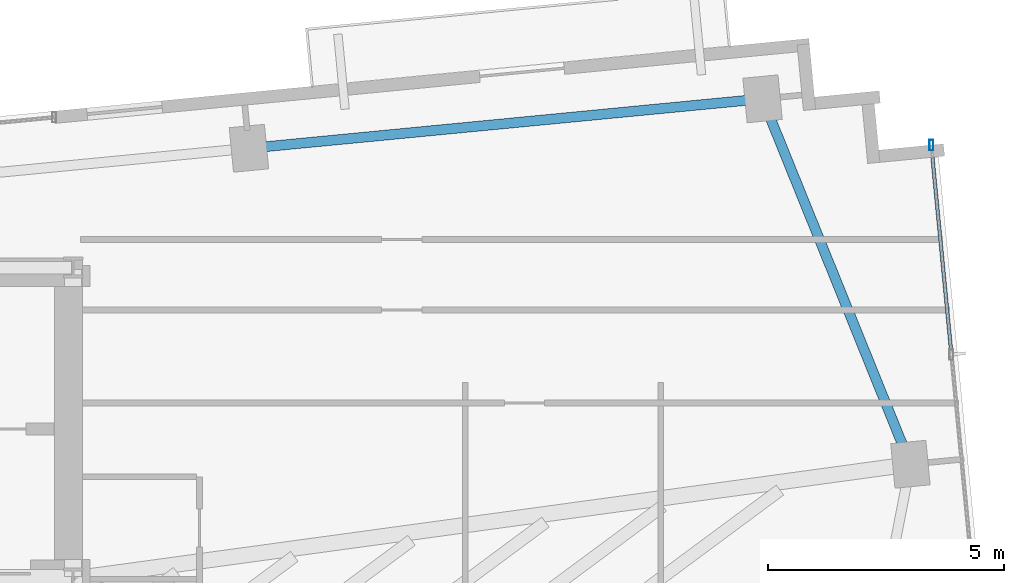
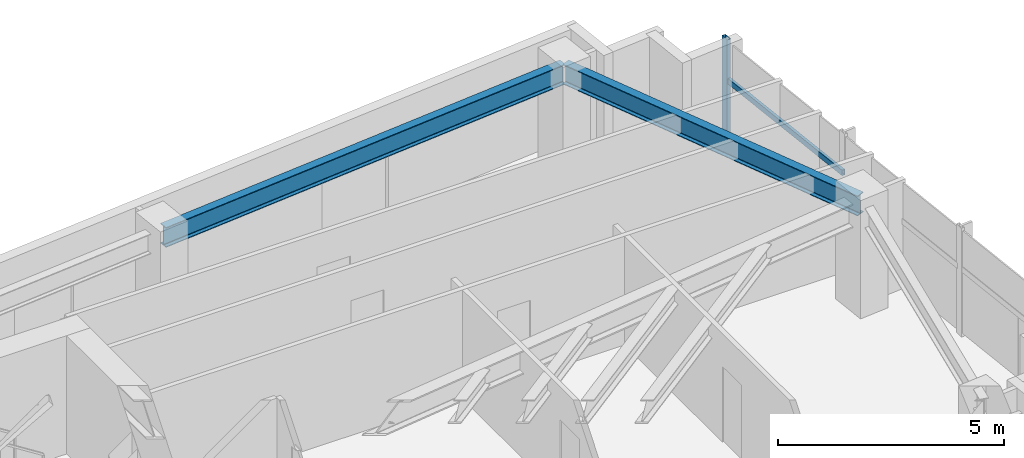
# One storey, part 11 of 18: 2 beams, 2 members, 1 element without a shape of its own.
"""IFC4 building model written with IfcOpenShell, lengths in metres."""

from ifc_helpers import new_model, si_unit, direction, frame, origin, origin_2d, place, context, subcontext, project, spatial, hollow_rectangle, i_section, extrude, source, transform, mapped, material, material_profile, profile_set, type_object, type_shapes, element, aggregate, save


model = new_model("IFC4")

# Units and contexts
model_context = context("Model", 3, precision=1e-05, world=origin(), true_north=direction((0.0, 1.0)))
body_context = subcontext(model_context, "Body", "Model", "MODEL_VIEW")
ifc_project = project(units=[si_unit("LENGTHUNIT", "METRE"), si_unit("AREAUNIT", "SQUARE_METRE"), si_unit("VOLUMEUNIT", "CUBIC_METRE"), si_unit("PLANEANGLEUNIT", "RADIAN"), si_unit("MASSUNIT", "GRAM", prefix="KILO")], contexts=[model_context])

# Site, building, storey
site_placement = place(None, origin())
site = spatial("IfcSite", under=ifc_project, at=site_placement, CompositionType="ELEMENT")
building_placement = place(site_placement, origin())
building = spatial("IfcBuilding", under=site, at=building_placement, Name="Astriad Promenade Condominiums", CompositionType="ELEMENT")
storey_placement = place(building_placement, frame((0.0, 0.0, 195.39990234375)))
storey = spatial("IfcBuildingStorey", under=building, at=storey_placement, Name="L56", CompositionType="ELEMENT", Elevation=195.39990234375)

# Beams
ifc_material_1 = material(Name="Steel ASTM A992 Grade 50", Category="steel")
ifc_material_profile_1 = material_profile(ifc_material_1, i_section(OverallWidth=0.210693359375, OverallDepth=0.53955078125, WebThickness=0.01171875, FlangeThickness=0.018798828125, FilletRadius=0.0166015625, at=origin_2d()), Name="W21X73")
ifc_profile_set_1 = profile_set([ifc_material_profile_1], Name="Steel ASTM A992 Grade 50")
beam_type = type_object("IfcBeamType", Name="STEEL SPANDREL BEAM W21X73", PredefinedType="SPANDREL", material=ifc_profile_set_1)
shared_shape_1 = source(origin(), body_context, "Body", "SweptSolid", [
    extrude(i_section(OverallWidth=0.210693359375, OverallDepth=0.53955078125, WebThickness=0.01171875, FlangeThickness=0.018798828125, FilletRadius=0.0166015625, at=origin_2d()), origin(), (0.0, 0.0, 1.0), 10.8701171875),
])
beam_1_placement = place(storey_placement, frame((60.190673828125, 27.578369140625, 2.67041015625), z_axis=(-0.995394986184, -0.09585834069, 0.0), x_axis=(0.09585834069, -0.995394986184, 0.0)))
element("IfcBeam", 1, at=beam_1_placement, inside=storey, type_object=beam_type, Name="Perimeter Spandrel Beam SP-N4-L56", PredefinedType="SPANDREL", context=body_context, shape_type="MappedRepresentation", body=[
    mapped(shared_shape_1, transform((0.0, 0.0, 0.0), scale=1.0)),
])
shared_shape_2 = source(origin(), body_context, "Body", "SweptSolid", [
    extrude(i_section(OverallWidth=0.210693359375, OverallDepth=0.53955078125, WebThickness=0.01171875, FlangeThickness=0.018798828125, FilletRadius=0.0166015625, at=origin_2d()), origin(), (0.0, 0.0, 1.0), 8.28564453125),
])
type_shapes(beam_type, [shared_shape_1, shared_shape_2])
beam_2_placement = place(storey_placement, frame((63.353271484375, 19.8642578125, 2.67041015625), z_axis=(-0.375070987134, 0.926996092014, 0.0), x_axis=(-0.926996092014, -0.375070987134, 0.0)))
element("IfcBeam", 2, at=beam_2_placement, inside=storey, type_object=beam_type, Name="Perimeter Spandrel Beam SP-E2-L56", PredefinedType="SPANDREL", context=body_context, shape_type="MappedRepresentation", body=[
    mapped(shared_shape_2, transform((0.0, 0.0, 0.0), scale=1.0)),
])

# Curtain wall, members
ifc_material_2 = material(Name="Anodised aluminium Black Dark Glass Unitised", Category="aluminium")
curtain_wall_type = type_object("IfcCurtainWallType", Name="CW-B34-DARK", PredefinedType="USERDEFINED", material=ifc_material_2)
curtain_wall_placement = place(storey_placement, origin())
curtain_wall = element("IfcCurtainWall", 3, at=curtain_wall_placement, inside=storey, type_object=curtain_wall_type, Name="CW-L56-E", ObjectType="UNITISED_CURTAIN_WALL", PredefinedType="USERDEFINED")
ifc_material_3 = material(Name="Anodised aluminium 6063-T6 Black", Category="aluminium")
ifc_material_profile_2 = material_profile(ifc_material_3, hollow_rectangle(XDim=0.0849609375, YDim=0.219970703125, WallThickness=0.0048828125, at=origin_2d()), Name="ALU-MUL-85X220")
ifc_profile_set_2 = profile_set([ifc_material_profile_2], Name="Anodised aluminium 6063-T6 Black")
member_type_1 = type_object("IfcMemberType", Name="MUL-ALU-MUL-85X220", PredefinedType="MULLION", material=ifc_profile_set_2)
shared_shape_3 = source(origin(), body_context, "Body", "SweptSolid", [
    extrude(hollow_rectangle(XDim=0.0849609375, YDim=0.219970703125, WallThickness=0.0048828125, at=origin_2d()), origin(), (0.0, 0.0, 1.0), 2.940185546875),
])
type_shapes(member_type_1, [shared_shape_3])
member_1_placement = place(storey_placement, frame((63.81103515625, 26.6005859375, 0.0), z_axis=(0.0, 0.0, 1.0), x_axis=(1.0, 0.0, 0.0)))
member_1 = element("IfcMember", 4, at=member_1_placement, type_object=member_type_1, Name="CW-L56-E-MUL-00", PredefinedType="MULLION", context=body_context, shape_type="MappedRepresentation", body=[
    mapped(shared_shape_3, transform((0.0, 0.0, 0.0), scale=1.0)),
])
ifc_material_profile_3 = material_profile(ifc_material_3, hollow_rectangle(XDim=0.074951171875, YDim=0.14990234375, WallThickness=0.004150390625, at=origin_2d()), Name="ALU-TRN-75X150")
ifc_profile_set_3 = profile_set([ifc_material_profile_3], Name="Anodised aluminium 6063-T6 Black")
member_type_2 = type_object("IfcMemberType", Name="TRN-ALU-TRN-75X150", PredefinedType="USERDEFINED", material=ifc_profile_set_3)
shared_shape_4 = source(origin(), body_context, "Body", "SweptSolid", [
    extrude(hollow_rectangle(XDim=0.074951171875, YDim=0.14990234375, WallThickness=0.004150390625, at=origin_2d()), origin(), (0.0, 0.0, 1.0), 4.466552734375),
])
type_shapes(member_type_2, [shared_shape_4])
member_2_placement = place(storey_placement, frame((63.81103515625, 26.6005859375, 1.822998046875), z_axis=(0.095817598554, -0.995398908884, 0.0), x_axis=(0.995398908884, 0.095817598554, 0.0)))
member_2 = element("IfcMember", 5, at=member_2_placement, type_object=member_type_2, Name="CW-L56-E-TRN-00-0", ObjectType="TRANSOM", PredefinedType="USERDEFINED", context=body_context, shape_type="MappedRepresentation", body=[
    mapped(shared_shape_4, transform((0.0, 0.0, 0.0), scale=1.0)),
])
aggregate(curtain_wall, [member_1, member_2])

save(model, "model.ifc")
